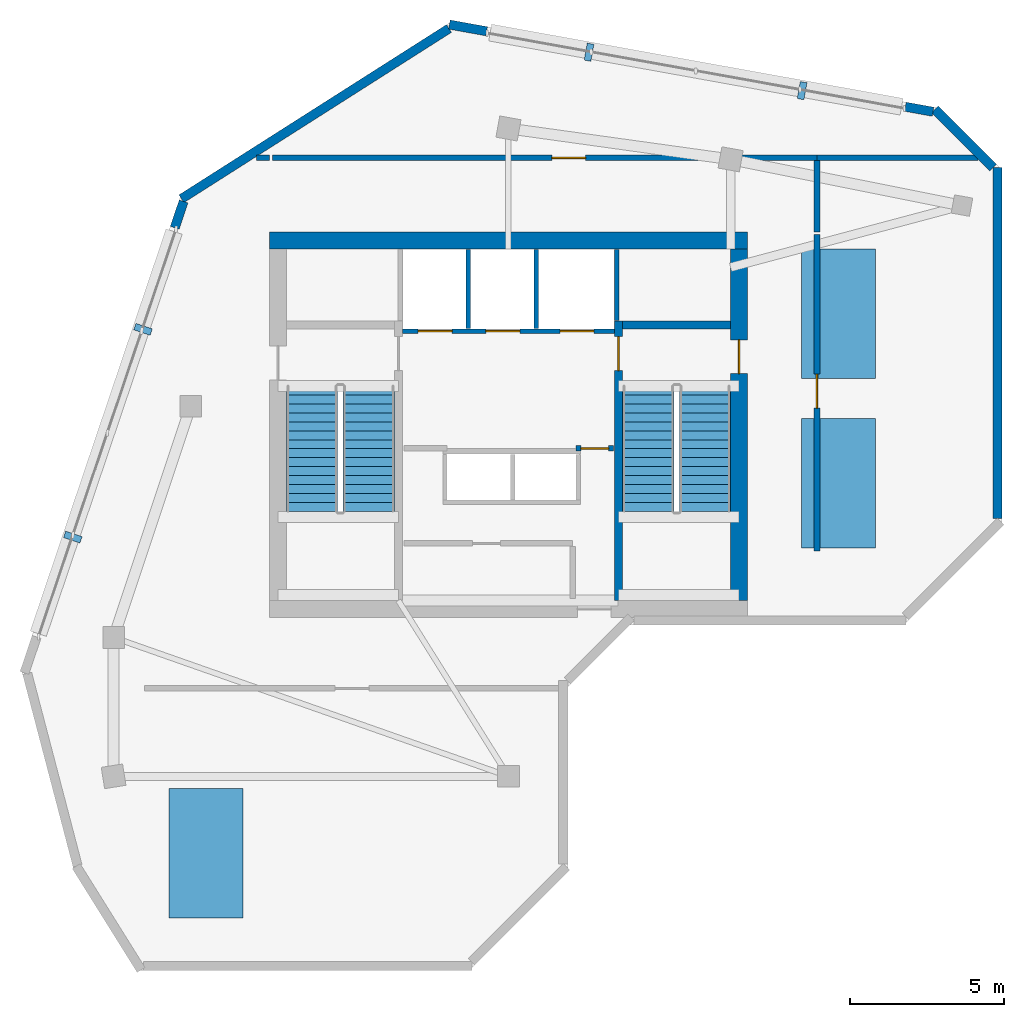
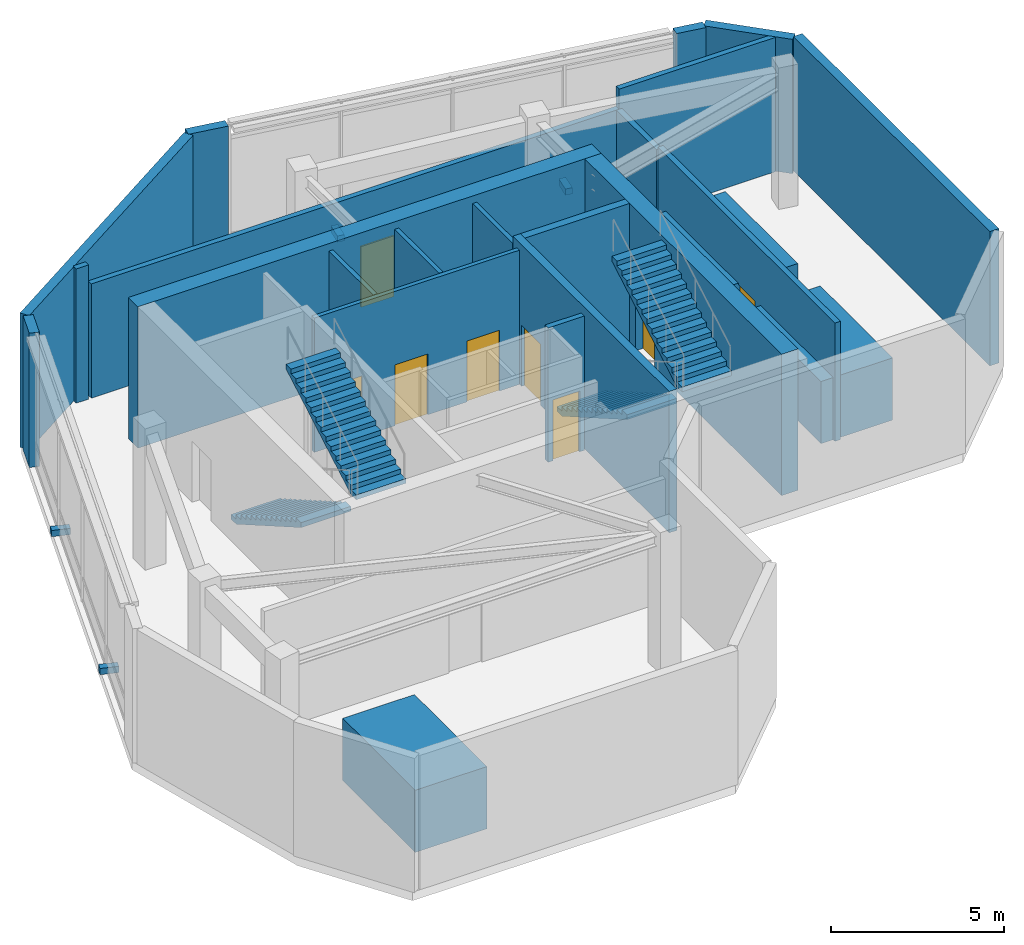
# One storey, part 3 of 4: 20 walls, 8 doors, 7 discrete accessories, 4 stair flights, 8 openings, 2 elements without a shape of their own.
"""IFC4 building model written with IfcOpenShell, lengths in metres."""

from ifc_helpers import new_model, si_unit, direction, frame, frame_2d, origin, origin_2d, place, context, subcontext, project, spatial, polyline, rectangle, outline, extrude, source, transform, mapped, material, layer, layer_set, type_object, element, fill, aggregate, save


model = new_model("IFC4")

# Units and contexts
model_context = context("Model", 3, precision=1e-05, world=origin(), true_north=direction((0.0, 1.0)))
body_context = subcontext(model_context, "Body", "Model", "MODEL_VIEW")
ifc_project = project(units=[si_unit("LENGTHUNIT", "METRE"), si_unit("AREAUNIT", "SQUARE_METRE"), si_unit("VOLUMEUNIT", "CUBIC_METRE"), si_unit("PLANEANGLEUNIT", "RADIAN"), si_unit("MASSUNIT", "GRAM", prefix="KILO")], contexts=[model_context])

# Site, building, storey
site_placement = place(None, origin())
site = spatial("IfcSite", under=ifc_project, at=site_placement, CompositionType="ELEMENT")
building_placement = place(site_placement, origin())
building = spatial("IfcBuilding", under=site, at=building_placement, Name="Calvemar Wedge Station Tower", CompositionType="ELEMENT")
storey_placement = place(building_placement, frame((0.0, 0.0, 304.5)))
storey = spatial("IfcBuildingStorey", under=building, at=storey_placement, Name="L78", CompositionType="ELEMENT", Elevation=304.5)

# Wall, opening, door
ifc_material_1 = material(Name="Concrete C50", Category="concrete")
ifc_layer_1 = layer(ifc_material_1, 0.260009765625)
ifc_layer_set_1 = layer_set([ifc_layer_1], Name="Concrete C50")
wall_type_1 = type_object("IfcWallType", Name="SW-CORE-260", PredefinedType="SHEAR", material=ifc_layer_set_1)
wall_1_placement = place(storey_placement, frame((27.3701171875, 34.199951171875, 0.0), z_axis=(0.0, 0.0, 1.0), x_axis=(0.0, 1.0, 0.0)))
wall_1 = element("IfcWall", 1, at=wall_1_placement, inside=storey, type_object=wall_type_1, Name="Storey L78 Core Shear Wall SPINE-E", PredefinedType="SHEAR", context=body_context, shape_type="SweptSolid", body=[
    extrude(rectangle(XDim=9.06005859375, YDim=0.260009765625, at=frame_2d((4.530029296875, 0.0))), origin(), (0.0, 0.0, 1.0), 5.0),
])
shared_shape_1 = source(origin(), body_context, "Body", "SweptSolid", [
    extrude(rectangle(XDim=1.10009765625, YDim=2.14990234375, at=frame_2d((0.550048828125, 1.074951171875))), frame((0.0, 0.14013671875, 0.0), z_axis=(0.0, -1.0, 0.0), x_axis=(1.0, 0.0, 0.0)), (0.0, 0.0, 1.0), 0.280029296875),
])
opening_1_placement = place(wall_1_placement, frame((7.449951171875, 0.0, 0.0)))
opening_1 = element("IfcOpeningElement", 2, at=opening_1_placement, cuts=wall_1, Name="Opening FD-90", PredefinedType="OPENING", context=body_context, shape_type="MappedRepresentation", body=[
    mapped(shared_shape_1, transform((0.0, 0.0, 0.0), scale=1.0)),
])
ifc_material_2 = material(Name="Galvanized fire-rated steel door leaf P-90", Category="steel")
door_type_1 = type_object("IfcDoorType", Name="DR-FD90-1100", OperationType="NOTDEFINED", PredefinedType="DOOR", material=ifc_material_2)
shared_shape_2 = source(origin(), body_context, "Body", "SweptSolid", [
    extrude(rectangle(XDim=1.10009765625, YDim=2.14990234375, at=frame_2d((0.550048828125, 1.074951171875))), frame((0.0, 0.02490234375, 0.0), z_axis=(0.0, -1.0, 0.0), x_axis=(1.0, 0.0, 0.0)), (0.0, 0.0, 1.0), 0.050048828125),
])
door_1_placement = place(opening_1_placement, origin())
door_1 = element("IfcDoor", 3, at=door_1_placement, inside=storey, type_object=door_type_1, Name="L78 FF Lobby to Stair ST-C2 Door", OperationType="SINGLE_SWING_RIGHT", OverallHeight=2.14990234375, OverallWidth=1.10009765625, PredefinedType="DOOR", context=body_context, shape_type="MappedRepresentation", body=[
    mapped(shared_shape_2, transform((0.0, 0.0, 0.0), scale=1.0)),
])
fill(opening_1, door_1)

# Walls
wall_2_placement = place(storey_placement, frame((27.5, 43.1298828125, 0.0), z_axis=(0.0, 0.0, 1.0), x_axis=(1.0, 0.0, 0.0)))
element("IfcWall", 4, at=wall_2_placement, inside=storey, type_object=wall_type_1, Name="Storey L78 Core Shear Wall STC2-N", PredefinedType="SHEAR", context=body_context, shape_type="SweptSolid", body=[
    extrude(rectangle(XDim=3.5, YDim=0.260009765625, at=frame_2d((1.75, 0.0))), origin(), (0.0, 0.0, 1.0), 5.0),
])
ifc_material_3 = material(Name="Concrete C60", Category="concrete")
ifc_layer_2 = layer(ifc_material_3, 0.550048828125)
ifc_layer_set_2 = layer_set([ifc_layer_2], Name="Concrete C60")
wall_type_2 = type_object("IfcWallType", Name="SW-CORE-550", PredefinedType="SHEAR", material=ifc_layer_set_2)
wall_3_placement = place(storey_placement, frame((16.050048828125, 45.875, 0.0), z_axis=(0.0, 0.0, 1.0), x_axis=(1.0, 0.0, 0.0)))
element("IfcWall", 5, at=wall_3_placement, inside=storey, type_object=wall_type_2, Name="Storey L78 Core Shear Wall N", PredefinedType="SHEAR", context=body_context, shape_type="SweptSolid", body=[
    extrude(rectangle(XDim=15.5, YDim=0.550048828125, at=frame_2d((7.75, 0.0))), origin(), (0.0, 0.0, 1.0), 5.0),
])

# Wall, opening, door
wall_4_placement = place(storey_placement, frame((31.27490234375, 34.199951171875, 0.0), z_axis=(0.0, 0.0, 1.0), x_axis=(0.0, 1.0, 0.0)))
wall_4 = element("IfcWall", 6, at=wall_4_placement, inside=storey, type_object=wall_type_2, Name="Storey L78 Core Shear Wall E", PredefinedType="SHEAR", context=body_context, shape_type="SweptSolid", body=[
    extrude(rectangle(XDim=11.400146484375, YDim=0.550048828125, at=frame_2d((5.7001953125, 0.0))), origin(), (0.0, 0.0, 1.0), 5.0),
])
shared_shape_3 = source(origin(), body_context, "Body", "SweptSolid", [
    extrude(rectangle(XDim=1.10009765625, YDim=2.14990234375, at=frame_2d((0.550048828125, 1.074951171875))), frame((0.0, 0.28515625, 0.0), z_axis=(0.0, -1.0, 0.0), x_axis=(1.0, 0.0, 0.0)), (0.0, 0.0, 1.0), 0.570068359375),
])
opening_2_placement = place(wall_4_placement, frame((7.35009765625, 0.0, 0.0)))
opening_2 = element("IfcOpeningElement", 7, at=opening_2_placement, cuts=wall_4, Name="Opening FD-90", PredefinedType="OPENING", context=body_context, shape_type="MappedRepresentation", body=[
    mapped(shared_shape_3, transform((0.0, 0.0, 0.0), scale=1.0)),
])
door_2_placement = place(opening_2_placement, origin())
door_2 = element("IfcDoor", 8, at=door_2_placement, inside=storey, type_object=door_type_1, Name="L78 East Corridor to Exit Stair ST-C2 Door", OperationType="SINGLE_SWING_RIGHT", OverallHeight=2.14990234375, OverallWidth=1.10009765625, PredefinedType="DOOR", context=body_context, shape_type="MappedRepresentation", body=[
    mapped(shared_shape_2, transform((0.0, 0.0, 0.0), scale=1.0)),
])
fill(opening_2, door_2)

ifc_material_4 = material(Name="Double-stud fire-rated corridor partition")
ifc_layer_3 = layer(ifc_material_4, 0.179931640625)
ifc_layer_set_3 = layer_set([ifc_layer_3], Name="Double-stud fire-rated corridor partition")
wall_type_3 = type_object("IfcWallType", Name="W-CORR-180", PredefinedType="PARTITIONING", material=ifc_layer_set_3)
wall_5_placement = place(storey_placement, frame((27.199951171875, 39.1298828125, 0.0), z_axis=(0.0, 0.0, 1.0), x_axis=(-1.0, 0.0, 0.0)))
wall_5 = element("IfcWall", 9, at=wall_5_placement, inside=storey, type_object=wall_type_3, Name="Storey L78 Interior Partition WL-L78-002", PredefinedType="PARTITIONING", context=body_context, shape_type="SweptSolid", body=[
    extrude(rectangle(XDim=1.2099609375, YDim=0.179931640625, at=frame_2d((0.60498046875, 0.0))), origin(), (0.0, 0.0, 1.0), 4.75),
])
shared_shape_4 = source(origin(), body_context, "Body", "SweptSolid", [
    extrude(rectangle(XDim=0.89990234375, YDim=2.14990234375, at=frame_2d((0.449951171875, 1.074951171875))), frame((0.0, 0.10009765625, 0.0), z_axis=(0.0, -1.0, 0.0), x_axis=(1.0, 0.0, 0.0)), (0.0, 0.0, 1.0), 0.199951171875),
])
opening_3_placement = place(wall_5_placement, frame((0.155029296875, 0.0, 0.0)))
opening_3 = element("IfcOpeningElement", 10, at=opening_3_placement, cuts=wall_5, Name="Opening FD-60", PredefinedType="OPENING", context=body_context, shape_type="MappedRepresentation", body=[
    mapped(shared_shape_4, transform((0.0, 0.0, 0.0), scale=1.0)),
])
ifc_material_5 = material(Name="Fire-rated acoustic timber-core entrance door EI 60", Category="wood")
door_type_2 = type_object("IfcDoorType", Name="DR-FD60-900", OperationType="NOTDEFINED", PredefinedType="DOOR", material=ifc_material_5)
shared_shape_5 = source(origin(), body_context, "Body", "SweptSolid", [
    extrude(rectangle(XDim=0.89990234375, YDim=2.14990234375, at=frame_2d((0.449951171875, 1.074951171875))), frame((0.0, 0.02490234375, 0.0), z_axis=(0.0, -1.0, 0.0), x_axis=(1.0, 0.0, 0.0)), (0.0, 0.0, 1.0), 0.050048828125),
])
door_3_placement = place(opening_3_placement, origin())
door_3 = element("IfcDoor", 11, at=door_3_placement, inside=storey, type_object=door_type_2, Name="L78 Core Service Lobby Door", OperationType="SINGLE_SWING_RIGHT", OverallHeight=2.14990234375, OverallWidth=0.89990234375, PredefinedType="DOOR", context=body_context, shape_type="MappedRepresentation", body=[
    mapped(shared_shape_5, transform((0.0, 0.0, 0.0), scale=1.0)),
])
fill(opening_3, door_3)

# Wall
wall_6_placement = place(storey_placement, frame((15.639892578125, 48.550048828125, 0.0), z_axis=(0.0, 0.0, 1.0), x_axis=(1.0, 0.0, 0.0)))
element("IfcWall", 12, at=wall_6_placement, inside=storey, type_object=wall_type_3, Name="Storey L78 Interior Partition WL-L78-006", PredefinedType="PARTITIONING", context=body_context, shape_type="SweptSolid", body=[
    extrude(rectangle(XDim=0.41015625, YDim=0.179931640625, at=frame_2d((0.205078125, 0.0))), origin(), (0.0, 0.0, 1.0), 4.75),
])

# Wall, opening, door
wall_7_placement = place(storey_placement, frame((16.14404296875, 48.550048828125, 0.0), z_axis=(0.0, 0.0, 1.0), x_axis=(1.0, 0.0, 0.0)))
wall_7 = element("IfcWall", 13, at=wall_7_placement, inside=storey, type_object=wall_type_3, Name="Storey L78 Interior Partition WL-L78-007", PredefinedType="PARTITIONING", context=body_context, shape_type="SweptSolid", body=[
    extrude(rectangle(XDim=17.656005859375, YDim=0.179931640625, at=frame_2d((8.828125, 0.0))), origin(), (0.0, 0.0, 1.0), 4.0419921875),
])
shared_shape_6 = source(origin(), body_context, "Body", "SweptSolid", [
    extrude(rectangle(XDim=1.10009765625, YDim=2.14990234375, at=frame_2d((0.550048828125, 1.074951171875))), frame((0.0, 0.10009765625, 0.0), z_axis=(0.0, -1.0, 0.0), x_axis=(1.0, 0.0, 0.0)), (0.0, 0.0, 1.0), 0.199951171875),
])
opening_4_placement = place(wall_7_placement, frame((9.059814453125, 0.0, 0.0)))
opening_4 = element("IfcOpeningElement", 14, at=opening_4_placement, cuts=wall_7, Name="Opening FD-90", PredefinedType="OPENING", context=body_context, shape_type="MappedRepresentation", body=[
    mapped(shared_shape_6, transform((0.0, 0.0, 0.0), scale=1.0)),
])
door_4_placement = place(opening_4_placement, origin())
door_4 = element("IfcDoor", 15, at=door_4_placement, inside=storey, type_object=door_type_1, Name="L78 Crown Cooling Recovery Plant Room Door", OperationType="SINGLE_SWING_RIGHT", OverallHeight=2.14990234375, OverallWidth=1.10009765625, PredefinedType="DOOR", context=body_context, shape_type="MappedRepresentation", body=[
    mapped(shared_shape_2, transform((0.0, 0.0, 0.0), scale=1.0)),
])
fill(opening_4, door_4)

# Wall
wall_8_placement = place(storey_placement, frame((33.800048828125, 48.4560546875, 0.0), z_axis=(0.0, 0.0, 1.0), x_axis=(0.0, -1.0, 0.0)))
element("IfcWall", 16, at=wall_8_placement, inside=storey, type_object=wall_type_3, Name="Storey L78 Interior Partition WL-L78-008", PredefinedType="PARTITIONING", context=body_context, shape_type="SweptSolid", body=[
    extrude(rectangle(XDim=2.30615234375, YDim=0.179931640625, at=frame_2d((1.153076171875, 0.0))), origin(), (0.0, 0.0, 1.0), 4.0419921875),
])

# Wall, opening, door
wall_9_placement = place(storey_placement, frame((33.800048828125, 46.055908203125, 0.0), z_axis=(0.0, 0.0, 1.0), x_axis=(0.0, -1.0, 0.0)))
wall_9 = element("IfcWall", 17, at=wall_9_placement, inside=storey, type_object=wall_type_3, Name="Storey L78 Interior Partition WL-L78-009", PredefinedType="PARTITIONING", context=body_context, shape_type="SweptSolid", body=[
    extrude(rectangle(XDim=10.255859375, YDim=0.179931640625, at=frame_2d((5.1279296875, 0.0))), origin(), (0.0, 0.0, 1.0), 4.18798828125),
])
opening_5_placement = place(wall_9_placement, frame((4.517578125, 0.0, 0.0)))
opening_5 = element("IfcOpeningElement", 18, at=opening_5_placement, cuts=wall_9, Name="Opening FD-90", PredefinedType="OPENING", context=body_context, shape_type="MappedRepresentation", body=[
    mapped(shared_shape_6, transform((0.0, 0.0, 0.0), scale=1.0)),
])
door_5_placement = place(opening_5_placement, origin())
door_5 = element("IfcDoor", 19, at=door_5_placement, inside=storey, type_object=door_type_1, Name="L78 Crown Telemetry Control Room Door", OperationType="SINGLE_SWING_RIGHT", OverallHeight=2.14990234375, OverallWidth=1.10009765625, PredefinedType="DOOR", context=body_context, shape_type="MappedRepresentation", body=[
    mapped(shared_shape_2, transform((0.0, 0.0, 0.0), scale=1.0)),
])
fill(opening_5, door_5)

# Walls
wall_10_placement = place(storey_placement, frame((39.027099609375, 48.550048828125, 0.0), z_axis=(0.0, 0.0, 1.0), x_axis=(-1.0, 0.0, 0.0)))
element("IfcWall", 20, at=wall_10_placement, inside=storey, type_object=wall_type_3, Name="Storey L78 Interior Partition WL-L78-010", PredefinedType="PARTITIONING", context=body_context, shape_type="SweptSolid", body=[
    extrude(rectangle(XDim=5.22509765625, YDim=0.179931640625, at=frame_2d((2.612548828125, 0.0))), origin(), (0.0, 0.0, 1.0), 4.75),
])
ifc_material_6 = material(Name="Precast concrete C45", Category="concrete")
ifc_layer_4 = layer(ifc_material_6, 0.300048828125)
ifc_layer_set_4 = layer_set([ifc_layer_4], Name="Precast concrete C45")
wall_type_4 = type_object("IfcWallType", Name="W-EXT-GFRC-300", PredefinedType="SOLIDWALL", material=ifc_layer_set_4)
wall_11_placement = place(storey_placement, frame((39.64990234375, 36.857421875, 0.0), z_axis=(0.0, 0.0, 1.0), x_axis=(0.0, 1.0, 0.0)))
element("IfcWall", 21, at=wall_11_placement, inside=storey, type_object=wall_type_4, Name="Storey L78 Bronze GFRC Exterior Wall 8", PredefinedType="SOLIDWALL", context=body_context, shape_type="SweptSolid", body=[
    extrude(rectangle(XDim=11.382568359375, YDim=0.300048828125, at=frame_2d((5.69140625, 0.0))), origin(), (0.0, 0.0, 1.0), 4.75),
])
wall_12_placement = place(storey_placement, frame((39.511962890625, 48.227783203125, 0.0), z_axis=(0.0, 0.0, 1.0), x_axis=(-0.707061133417, 0.70715242601, 0.0)))
element("IfcWall", 22, at=wall_12_placement, inside=storey, type_object=wall_type_4, Name="Storey L78 Bronze GFRC Exterior Wall 9", PredefinedType="SOLIDWALL", context=body_context, shape_type="SweptSolid", body=[
    extrude(rectangle(XDim=2.67431640625, YDim=0.300048828125, at=frame_2d((1.337158203125, 0.0))), origin(), (0.0, 0.0, 1.0), 4.75),
])
wall_13_placement = place(storey_placement, frame((37.561767578125, 50.04248046875, 0.0), z_axis=(0.0, 0.0, 1.0), x_axis=(-0.984121651539, 0.177495281548, 0.0)))
element("IfcWall", 23, at=wall_13_placement, inside=storey, type_object=wall_type_4, Name="Storey L78 Bronze GFRC Corner Pier 10A", PredefinedType="SOLIDWALL", context=body_context, shape_type="SweptSolid", body=[
    extrude(rectangle(XDim=0.911865234375, YDim=0.300048828125, at=frame_2d((0.4560546875, 0.0))), origin(), (0.0, 0.0, 1.0), 4.75),
])
wall_14_placement = place(storey_placement, frame((23.093994140625, 52.650390625, 0.0), z_axis=(0.0, 0.0, 1.0), x_axis=(-0.984129290582, 0.177452921698, 0.0)))
element("IfcWall", 24, at=wall_14_placement, inside=storey, type_object=wall_type_4, Name="Storey L78 Bronze GFRC Corner Pier 10B", PredefinedType="SOLIDWALL", context=body_context, shape_type="SweptSolid", body=[
    extrude(rectangle(XDim=1.22998046875, YDim=0.300048828125, at=frame_2d((0.614990234375, 0.0))), origin(), (0.0, 0.0, 1.0), 4.75),
])
wall_15_placement = place(storey_placement, frame((21.872802734375, 52.7412109375, 0.0), z_axis=(0.0, 0.0, 1.0), x_axis=(-0.843661487732, -0.536875492193, 0.0)))
element("IfcWall", 25, at=wall_15_placement, inside=storey, type_object=wall_type_4, Name="Storey L78 Bronze GFRC Exterior Wall 11", PredefinedType="SOLIDWALL", context=body_context, shape_type="SweptSolid", body=[
    extrude(rectangle(XDim=10.28173828125, YDim=0.300048828125, at=frame_2d((5.140869140625, 0.0))), origin(), (0.0, 0.0, 1.0), 4.75),
])
wall_16_placement = place(storey_placement, frame((13.2685546875, 47.1337890625, 0.0), z_axis=(0.0, 0.0, 1.0), x_axis=(-0.31995770778, -0.947431826166, 0.0)))
element("IfcWall", 26, at=wall_16_placement, inside=storey, type_object=wall_type_4, Name="Storey L78 Bronze GFRC Corner Pier 12A", PredefinedType="SOLIDWALL", context=body_context, shape_type="SweptSolid", body=[
    extrude(rectangle(XDim=0.902587890625, YDim=0.300048828125, at=frame_2d((0.451171875, 0.0))), origin(), (0.0, 0.0, 1.0), 4.75),
])

# Wall, openings, doors
ifc_material_7 = material(Name="Reinforced concrete blockwork lift shaft wall", Category="masonry")
ifc_layer_5 = layer(ifc_material_7, 0.139892578125)
ifc_layer_set_5 = layer_set([ifc_layer_5], Name="Reinforced concrete blockwork lift shaft wall")
wall_type_5 = type_object("IfcWallType", Name="W-LIFT-160", PredefinedType="SOLIDWALL", material=ifc_layer_set_5)
wall_17_placement = place(storey_placement, frame((20.3701171875, 42.929931640625, 0.0), z_axis=(0.0, 0.0, 1.0), x_axis=(1.0, 0.0, 0.0)))
wall_17 = element("IfcWall", 27, at=wall_17_placement, inside=storey, type_object=wall_type_5, Name="Storey L78 Firefighting and Service Lift Shaft Front Wall", PredefinedType="SOLIDWALL", context=body_context, shape_type="SweptSolid", body=[
    extrude(rectangle(XDim=6.85986328125, YDim=0.139892578125, at=frame_2d((3.429931640625, 0.0))), origin(), (0.0, 0.0, 1.0), 4.75),
])
shared_shape_7 = source(origin(), body_context, "Body", "SweptSolid", [
    extrude(rectangle(XDim=1.10009765625, YDim=2.14990234375, at=frame_2d((0.550048828125, 1.074951171875))), frame((0.0, 0.080078125, 0.0), z_axis=(0.0, -1.0, 0.0), x_axis=(1.0, 0.0, 0.0)), (0.0, 0.0, 1.0), 0.159912109375),
])
opening_6_placement = place(wall_17_placement, frame((0.5, 0.0, 0.0)))
opening_6 = element("IfcOpeningElement", 28, at=opening_6_placement, cuts=wall_17, Name="Opening LD-FF", PredefinedType="OPENING", context=body_context, shape_type="MappedRepresentation", body=[
    mapped(shared_shape_7, transform((0.0, 0.0, 0.0), scale=1.0)),
])
opening_7_placement = place(wall_17_placement, frame((2.699951171875, 0.0, 0.0)))
opening_7 = element("IfcOpeningElement", 29, at=opening_7_placement, cuts=wall_17, Name="Opening LD-FF", PredefinedType="OPENING", context=body_context, shape_type="MappedRepresentation", body=[
    mapped(shared_shape_7, transform((0.0, 0.0, 0.0), scale=1.0)),
])
opening_8_placement = place(wall_17_placement, frame((5.10009765625, 0.0, 0.0)))
opening_8 = element("IfcOpeningElement", 30, at=opening_8_placement, cuts=wall_17, Name="Opening LD-STN", PredefinedType="OPENING", context=body_context, shape_type="MappedRepresentation", body=[
    mapped(shared_shape_7, transform((0.0, 0.0, 0.0), scale=1.0)),
])
ifc_material_8 = material(Name="Stainless steel firefighting lift sliding landing door", Category="steel")
door_type_3 = type_object("IfcDoorType", Name="DR-LD-FF-1100", OperationType="SLIDING_TO_LEFT", PredefinedType="DOOR", material=ifc_material_8)
shared_shape_8 = source(origin(), body_context, "Body", "SweptSolid", [
    extrude(rectangle(XDim=1.10009765625, YDim=2.14990234375, at=frame_2d((0.550048828125, 1.074951171875))), frame((0.0, 0.02490234375, 0.0), z_axis=(0.0, -1.0, 0.0), x_axis=(1.0, 0.0, 0.0)), (0.0, 0.0, 1.0), 0.050048828125),
])
door_6_placement = place(opening_6_placement, origin())
door_6 = element("IfcDoor", 31, at=door_6_placement, inside=storey, type_object=door_type_3, Name="L78 Lift FF-01 Sliding Landing Door", OperationType="SLIDING_TO_LEFT", OverallHeight=2.14990234375, OverallWidth=1.10009765625, PredefinedType="DOOR", context=body_context, shape_type="MappedRepresentation", body=[
    mapped(shared_shape_8, transform((0.0, 0.0, 0.0), scale=1.0)),
])
fill(opening_6, door_6)
door_7_placement = place(opening_7_placement, origin())
door_7 = element("IfcDoor", 32, at=door_7_placement, inside=storey, type_object=door_type_3, Name="L78 Lift FF-02 Sliding Landing Door", OperationType="SLIDING_TO_RIGHT", OverallHeight=2.14990234375, OverallWidth=1.10009765625, PredefinedType="DOOR", context=body_context, shape_type="MappedRepresentation", body=[
    mapped(shared_shape_8, transform((0.0, 0.0, 0.0), scale=1.0)),
])
fill(opening_7, door_7)
ifc_material_9 = material(Name="Stainless steel transit lift sliding landing door", Category="steel")
door_type_4 = type_object("IfcDoorType", Name="DR-LD-PAX-1100", OperationType="SLIDING_TO_LEFT", PredefinedType="DOOR", material=ifc_material_9)
shared_shape_9 = source(origin(), body_context, "Body", "SweptSolid", [
    extrude(rectangle(XDim=1.10009765625, YDim=2.14990234375, at=frame_2d((0.550048828125, 1.074951171875))), frame((0.0, 0.02490234375, 0.0), z_axis=(0.0, -1.0, 0.0), x_axis=(1.0, 0.0, 0.0)), (0.0, 0.0, 1.0), 0.050048828125),
])
door_8_placement = place(opening_8_placement, origin())
door_8 = element("IfcDoor", 33, at=door_8_placement, inside=storey, type_object=door_type_4, Name="L78 Lift SV-01 Sliding Landing Door", OperationType="SLIDING_TO_LEFT", OverallHeight=2.14990234375, OverallWidth=1.10009765625, PredefinedType="DOOR", context=body_context, shape_type="MappedRepresentation", body=[
    mapped(shared_shape_9, transform((0.0, 0.0, 0.0), scale=1.0)),
])
fill(opening_8, door_8)

# Walls
wall_18_placement = place(storey_placement, frame((27.31005859375, 43.280029296875, 0.0), z_axis=(0.0, 0.0, 1.0), x_axis=(0.0, 1.0, 0.0)))
element("IfcWall", 34, at=wall_18_placement, inside=storey, type_object=wall_type_5, Name="Storey L78 Firefighting Lift Shaft Enclosure Wall E", PredefinedType="SOLIDWALL", context=body_context, shape_type="SweptSolid", body=[
    extrude(rectangle(XDim=2.300048828125, YDim=0.139892578125, at=frame_2d((1.14990234375, 0.0))), origin(), (0.0, 0.0, 1.0), 4.75),
])
for number, where, z_axis, x_axis, name in (
    (35, (22.5, 43.02001953125, 0.0), (0.0, 0.0, 1.0), (0.0, 1.0, 0.0), "Storey L78 Firefighting Lift Shaft Enclosure Wall D1"),
    (36, (24.699951171875, 43.02001953125, 0.0), (0.0, 0.0, 1.0), (0.0, 1.0, 0.0), "Storey L78 Firefighting Lift Shaft Enclosure Wall D2"),
):
    element("IfcWall", number, at=place(storey_placement, frame(where, z_axis=z_axis, x_axis=x_axis)), inside=storey, type_object=wall_type_5, Name=name, PredefinedType="SOLIDWALL", context=body_context, shape_type="SweptSolid", body=[
        extrude(rectangle(XDim=2.56005859375, YDim=0.139892578125, at=frame_2d((1.280029296875, 0.0))), origin(), (0.0, 0.0, 1.0), 4.75),
    ])

# Stair, stair flights
ifc_material_10 = material(Name="Concrete C45", Category="concrete")
stair_type = type_object("IfcStairType", Name="ST-TYPE-5000", PredefinedType="HALF_TURN_STAIR", material=ifc_material_10)
stair_1_placement = place(storey_placement, origin())
stair_1 = element("IfcStair", 37, at=stair_1_placement, inside=storey, type_object=stair_type, Name="L78 Pressurized Core Exit Stair ST-C1", PredefinedType="HALF_TURN_STAIR")
stair_flight_type = type_object("IfcStairFlightType", Name="STF-TYPE-5000", PredefinedType="STRAIGHT", material=ifc_material_10)
stair_flight_1_placement = place(storey_placement, frame((17.429931640625, 41.14990234375, 0.0), z_axis=(0.0, 0.0, 1.0), x_axis=(0.0, -1.0, 0.0)))
stair_flight_1 = element("IfcStairFlight", 38, at=stair_flight_1_placement, type_object=stair_flight_type, Name="ST-C1 flight 1", NumberOfRisers=15, NumberOfTreads=14, PredefinedType="STRAIGHT", RiserHeight=0.166666667, TreadLength=0.29, context=body_context, shape_type="SweptSolid", body=[
    extrude(outline(polyline([(0.0, 0.0), (0.0, 0.166748046875), (0.2900390625, 0.166748046875), (0.2900390625, 0.333251953125), (0.580078125, 0.333251953125), (0.580078125, 0.5), (0.8701171875, 0.5), (0.8701171875, 0.666748046875), (1.159912109375, 0.666748046875), (1.159912109375, 0.833251953125), (1.449951171875, 0.833251953125), (1.449951171875, 1.0), (1.739990234375, 1.0), (1.739990234375, 1.166748046875), (2.030029296875, 1.166748046875), (2.030029296875, 1.333251953125), (2.320068359375, 1.333251953125), (2.320068359375, 1.5), (2.610107421875, 1.5), (2.610107421875, 1.666748046875), (2.89990234375, 1.666748046875), (2.89990234375, 1.833251953125), (3.18994140625, 1.833251953125), (3.18994140625, 2.0), (3.47998046875, 2.0), (3.47998046875, 2.166748046875), (3.77001953125, 2.166748046875), (3.77001953125, 2.333251953125), (4.06005859375, 2.333251953125), (4.06005859375, 2.5), (4.06005859375, 2.160400390625), (0.30078125, 0.0), (0.0, 0.0)])), frame((0.0, 0.830078125, 0.0), z_axis=(0.0, -1.0, 0.0), x_axis=(1.0, 0.0, 0.0)), (0.0, 0.0, 1.0), 1.659912109375),
])
stair_flight_2_placement = place(storey_placement, frame((19.27001953125, 37.090087890625, 2.5), z_axis=(0.0, 0.0, 1.0), x_axis=(0.0, 1.0, 0.0)))
stair_flight_2 = element("IfcStairFlight", 39, at=stair_flight_2_placement, type_object=stair_flight_type, Name="ST-C1 flight 2", NumberOfRisers=15, NumberOfTreads=14, PredefinedType="STRAIGHT", RiserHeight=0.166666667, TreadLength=0.29, context=body_context, shape_type="SweptSolid", body=[
    extrude(outline(polyline([(0.0, 0.0), (0.0, 0.166748046875), (0.2900390625, 0.166748046875), (0.2900390625, 0.333251953125), (0.580078125, 0.333251953125), (0.580078125, 0.5), (0.8701171875, 0.5), (0.8701171875, 0.666748046875), (1.159912109375, 0.666748046875), (1.159912109375, 0.833251953125), (1.449951171875, 0.833251953125), (1.449951171875, 1.0), (1.739990234375, 1.0), (1.739990234375, 1.166748046875), (2.030029296875, 1.166748046875), (2.030029296875, 1.333251953125), (2.320068359375, 1.333251953125), (2.320068359375, 1.5), (2.610107421875, 1.5), (2.610107421875, 1.666748046875), (2.89990234375, 1.666748046875), (2.89990234375, 1.833251953125), (3.18994140625, 1.833251953125), (3.18994140625, 2.0), (3.47998046875, 2.0), (3.47998046875, 2.166748046875), (3.77001953125, 2.166748046875), (3.77001953125, 2.333251953125), (4.06005859375, 2.333251953125), (4.06005859375, 2.5), (4.06005859375, 2.160400390625), (0.30078125, 0.0), (0.0, 0.0)])), frame((0.0, 0.830078125, 0.0), z_axis=(0.0, -1.0, 0.0), x_axis=(1.0, 0.0, 0.0)), (0.0, 0.0, 1.0), 1.659912109375),
])
aggregate(stair_1, [stair_flight_1, stair_flight_2])

stair_2_placement = place(storey_placement, origin())
stair_2 = element("IfcStair", 40, at=stair_2_placement, inside=storey, type_object=stair_type, Name="L78 Pressurized Core Exit Stair ST-C2", PredefinedType="HALF_TURN_STAIR")
stair_flight_3_placement = place(storey_placement, frame((28.330078125, 41.14990234375, 0.0), z_axis=(0.0, 0.0, 1.0), x_axis=(0.0, -1.0, 0.0)))
stair_flight_3 = element("IfcStairFlight", 41, at=stair_flight_3_placement, type_object=stair_flight_type, Name="ST-C2 flight 1", NumberOfRisers=15, NumberOfTreads=14, PredefinedType="STRAIGHT", RiserHeight=0.166666667, TreadLength=0.29, context=body_context, shape_type="SweptSolid", body=[
    extrude(outline(polyline([(0.0, 0.0), (0.0, 0.166748046875), (0.2900390625, 0.166748046875), (0.2900390625, 0.333251953125), (0.580078125, 0.333251953125), (0.580078125, 0.5), (0.8701171875, 0.5), (0.8701171875, 0.666748046875), (1.159912109375, 0.666748046875), (1.159912109375, 0.833251953125), (1.449951171875, 0.833251953125), (1.449951171875, 1.0), (1.739990234375, 1.0), (1.739990234375, 1.166748046875), (2.030029296875, 1.166748046875), (2.030029296875, 1.333251953125), (2.320068359375, 1.333251953125), (2.320068359375, 1.5), (2.610107421875, 1.5), (2.610107421875, 1.666748046875), (2.89990234375, 1.666748046875), (2.89990234375, 1.833251953125), (3.18994140625, 1.833251953125), (3.18994140625, 2.0), (3.47998046875, 2.0), (3.47998046875, 2.166748046875), (3.77001953125, 2.166748046875), (3.77001953125, 2.333251953125), (4.06005859375, 2.333251953125), (4.06005859375, 2.5), (4.06005859375, 2.160400390625), (0.30078125, 0.0), (0.0, 0.0)])), frame((0.0, 0.830078125, 0.0), z_axis=(0.0, -1.0, 0.0), x_axis=(1.0, 0.0, 0.0)), (0.0, 0.0, 1.0), 1.659912109375),
])
stair_flight_4_placement = place(storey_placement, frame((30.169921875, 37.090087890625, 2.5), z_axis=(0.0, 0.0, 1.0), x_axis=(0.0, 1.0, 0.0)))
stair_flight_4 = element("IfcStairFlight", 42, at=stair_flight_4_placement, type_object=stair_flight_type, Name="ST-C2 flight 2", NumberOfRisers=15, NumberOfTreads=14, PredefinedType="STRAIGHT", RiserHeight=0.166666667, TreadLength=0.29, context=body_context, shape_type="SweptSolid", body=[
    extrude(outline(polyline([(0.0, 0.0), (0.0, 0.166748046875), (0.2900390625, 0.166748046875), (0.2900390625, 0.333251953125), (0.580078125, 0.333251953125), (0.580078125, 0.5), (0.8701171875, 0.5), (0.8701171875, 0.666748046875), (1.159912109375, 0.666748046875), (1.159912109375, 0.833251953125), (1.449951171875, 0.833251953125), (1.449951171875, 1.0), (1.739990234375, 1.0), (1.739990234375, 1.166748046875), (2.030029296875, 1.166748046875), (2.030029296875, 1.333251953125), (2.320068359375, 1.333251953125), (2.320068359375, 1.5), (2.610107421875, 1.5), (2.610107421875, 1.666748046875), (2.89990234375, 1.666748046875), (2.89990234375, 1.833251953125), (3.18994140625, 1.833251953125), (3.18994140625, 2.0), (3.47998046875, 2.0), (3.47998046875, 2.166748046875), (3.77001953125, 2.166748046875), (3.77001953125, 2.333251953125), (4.06005859375, 2.333251953125), (4.06005859375, 2.5), (4.06005859375, 2.160400390625), (0.30078125, 0.0), (0.0, 0.0)])), frame((0.0, 0.830078125, 0.0), z_axis=(0.0, -1.0, 0.0), x_axis=(1.0, 0.0, 0.0)), (0.0, 0.0, 1.0), 1.659912109375),
])
aggregate(stair_2, [stair_flight_3, stair_flight_4])

# Discrete accessories
ifc_material_11 = material(Name="Stainless steel AISI 316L", Category="steel")
discrete_accessory_type_1 = type_object("IfcDiscreteAccessoryType", Name="BRK-316L", PredefinedType="BRACKET", material=ifc_material_11)
shared_shape_10 = source(origin(), body_context, "Body", "SweptSolid", [
    extrude(rectangle(XDim=0.219970703125, YDim=0.56005859375, at=origin_2d()), origin(), (0.0, 0.0, 1.0), 0.219970703125),
])
for number, where, z_axis, x_axis, name in (
    (43, (33.318115234375, 50.726318359375, 0.0), (0.0, 0.0, 1.0), (-0.984133733774, 0.177428278601, 0.0), "Storey L78 Recessed Facade Stainless Bracket 10.1"),
    (44, (26.411865234375, 51.97119140625, 0.0), (0.0, 0.0, 1.0), (-0.984133733774, 0.177428278601, 0.0), "Storey L78 Recessed Facade Stainless Bracket 10.2"),
    (45, (11.95361328125, 42.990234375, 0.0), (0.0, 0.0, 1.0), (-0.319951634986, -0.947433876991, 0.0), "Storey L78 Recessed Facade Stainless Bracket 12.1"),
    (46, (9.679443359375, 36.2548828125, 0.0), (0.0, 0.0, 1.0), (-0.319951634986, -0.947433876991, 0.0), "Storey L78 Recessed Facade Stainless Bracket 12.2"),
):
    element("IfcDiscreteAccessory", number, at=place(storey_placement, frame(where, z_axis=z_axis, x_axis=x_axis)), inside=storey, type_object=discrete_accessory_type_1, Name=name, PredefinedType="BRACKET", context=body_context, shape_type="MappedRepresentation", body=[
        mapped(shared_shape_10, transform((0.0, 0.0, 0.0), scale=1.0)),
    ])
discrete_accessory_type_2 = type_object("IfcDiscreteAccessoryType", Name="ACC-PLANT-UNIT", PredefinedType="USERDEFINED", material=ifc_material_6)
shared_shape_11 = source(origin(), body_context, "Body", "SweptSolid", [
    extrude(rectangle(XDim=2.39990234375, YDim=4.199951171875, at=origin_2d()), origin(), (0.0, 0.0, 1.0), 2.199951171875),
])
for number, where, z_axis, x_axis, name in (
    (47, (34.5, 38.0, 0.0), (0.0, 0.0, 1.0), (1.0, 0.0, 0.0), "Crown Chiller Plant Unit 1"),
    (48, (34.5, 43.5, 0.0), (0.0, 0.0, 1.0), (1.0, 0.0, 0.0), "Crown Chiller Plant Unit 2"),
    (49, (14.0, 26.0, 0.0), (0.0, 0.0, 1.0), (1.0, 0.0, 0.0), "Crown Fire and Domestic Water Reservoir Tank"),
):
    element("IfcDiscreteAccessory", number, at=place(storey_placement, frame(where, z_axis=z_axis, x_axis=x_axis)), inside=storey, type_object=discrete_accessory_type_2, Name=name, ObjectType="PLANT EQUIPMENT", PredefinedType="USERDEFINED", context=body_context, shape_type="MappedRepresentation", body=[
        mapped(shared_shape_11, transform((0.0, 0.0, 0.0), scale=1.0)),
    ])

save(model, "model.ifc")
